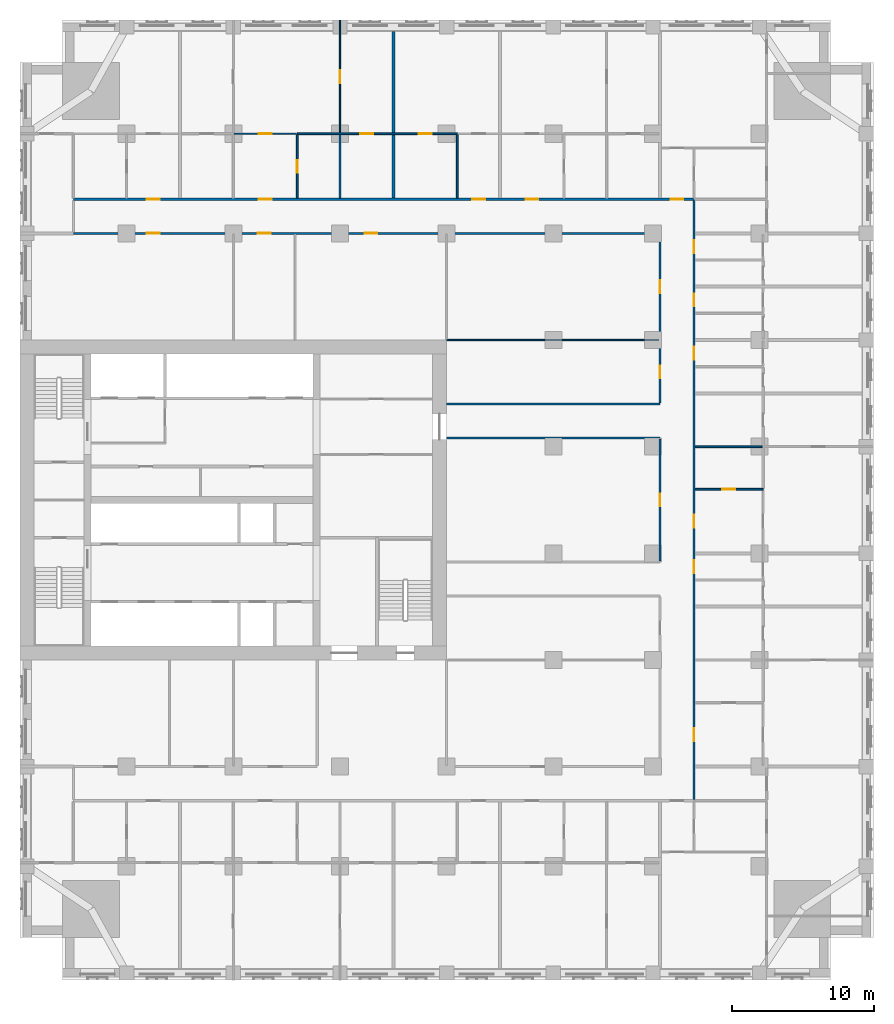
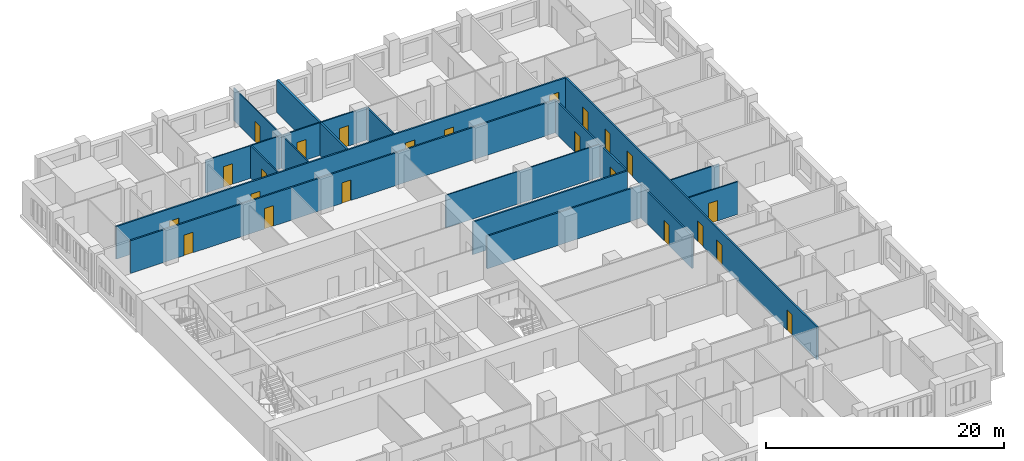
# One storey, part 9 of 14: 23 doors, 17 walls, 23 openings.
"""IFC4 building model written with IfcOpenShell, lengths in metres."""

import ifcopenshell
import ifcopenshell.guid

model = None  # the IFC model being written
_history = None  # IfcOwnerHistory: only IFC2X3 demands one
_inside = {}  # id of a spatial element -> (the spatial element, [elements in it])
_under = {}  # id of a project, library or spatial element -> (it, [spatial elements below it])
_declared = {}  # id of a project -> (the project, [libraries it declares])
_typed = {}  # id of a type object -> (the type object, [elements of that type])
_made_of = {}  # id of a material, layer set ... -> (it, [elements and type objects made of it])


def new_model(schema):
    """Start an empty IFC model of exactly this schema.

    Asked for "IFC4X3", IfcOpenShell would pick the latest addendum, in which some entities
    have other attributes; the version numbers below select the first issue.
    IFC2X3 requires an IfcOwnerHistory on every rooted entity: one is made here for all.
    """
    global model, _history
    if schema == "IFC4X3":
        model = ifcopenshell.file(schema_version=(4, 3, 0, 0))
    else:
        model = ifcopenshell.file(schema=schema)
    _inside.clear()
    _under.clear()
    _declared.clear()
    _typed.clear()
    _made_of.clear()
    _history = None
    if model.schema == "IFC2X3":
        org = make("IfcOrganization", Name="unknown")
        user = make(
            "IfcPersonAndOrganization",
            ThePerson=make("IfcPerson", FamilyName="unknown"),
            TheOrganization=org,
        )
        app = make(
            "IfcApplication",
            ApplicationDeveloper=org,
            Version="unknown",
            ApplicationFullName="unknown",
            ApplicationIdentifier="unknown",
        )
        _history = make(
            "IfcOwnerHistory",
            OwningUser=user,
            OwningApplication=app,
            ChangeAction="ADDED",
            CreationDate=0,
        )
    return model


def make(cls, **values):
    """One entity of the class cls with the attributes given. An attribute that is None is left unset."""
    return model.create_entity(
        cls, **{name: value for name, value in values.items() if value is not None}
    )


def rooted(cls, **values):
    """An entity with a GlobalId (a new one), such as an element, a storey or a relation."""
    return make(cls, GlobalId=ifcopenshell.guid.new(), OwnerHistory=_history, **values)


def si_unit(unit_type, name, prefix=None):
    """IfcSIUnit, for example si_unit("LENGTHUNIT", "METRE", prefix="MILLI")."""
    return make("IfcSIUnit", UnitType=unit_type, Prefix=prefix, Name=name)


def assignment(units):
    """IfcUnitAssignment: the units of a project."""
    return None if units is None else make("IfcUnitAssignment", Units=units)


def point(xyz):
    """IfcCartesianPoint."""
    return None if xyz is None else make("IfcCartesianPoint", Coordinates=xyz)


def direction(xyz):
    """IfcDirection."""
    return None if xyz is None else make("IfcDirection", DirectionRatios=xyz)


def frame(location, z_axis=None, x_axis=None):
    """IfcAxis2Placement3D, a coordinate frame: its origin and axes. An axis left out is left unset."""
    return make(
        "IfcAxis2Placement3D",
        Location=point(location),
        Axis=direction(z_axis),
        RefDirection=direction(x_axis),
    )


def frame_2d(location, x_axis=None):
    """IfcAxis2Placement2D, a coordinate frame in the plane: its origin and x axis."""
    return make(
        "IfcAxis2Placement2D", Location=point(location), RefDirection=direction(x_axis)
    )


def origin():
    """The frame at (0, 0, 0) with its axes left unset."""
    return frame((0.0, 0.0, 0.0))


def place(relative_to, where):
    """IfcLocalPlacement: puts the frame where relative to a parent placement (None: the world)."""
    return make(
        "IfcLocalPlacement", PlacementRelTo=relative_to, RelativePlacement=where
    )


def context(
    kind, dimensions, precision=None, world=None, true_north=None, identifier=None
):
    """IfcGeometricRepresentationContext, for example the 3D "Model" context."""
    return make(
        "IfcGeometricRepresentationContext",
        ContextIdentifier=identifier,
        ContextType=kind,
        CoordinateSpaceDimension=dimensions,
        Precision=precision,
        WorldCoordinateSystem=world,
        TrueNorth=true_north,
    )


def subcontext(parent, identifier, kind, view, scale=None):
    """IfcGeometricRepresentationSubContext, for example "Body" below "Model"."""
    return make(
        "IfcGeometricRepresentationSubContext",
        ContextIdentifier=identifier,
        ContextType=kind,
        ParentContext=parent,
        TargetScale=scale,
        TargetView=view,
    )


def project(units=None, contexts=None):
    """IfcProject with its units and contexts."""
    return rooted(
        "IfcProject",
        Name="project",
        RepresentationContexts=contexts,
        UnitsInContext=assignment(units),
    )


def spatial(cls, under=None, at=None, **own):
    """A site, building, storey or space (cls), placed at a placement, below another one or the project."""
    s = rooted(cls, ObjectPlacement=at, **own)
    if under is not None:
        _under.setdefault(under.id(), (under, []))[1].append(s)
    return s


def profile(cls, at=None, kind="AREA", **sizes):
    """A parametric profile (cls). Its sizes go by their IFC names, for example OverallWidth=200.0."""
    return make(cls, ProfileType=kind, Position=at, **sizes)


def rectangle(**sizes):
    """IfcRectangleProfileDef."""
    return profile("IfcRectangleProfileDef", **sizes)


def extrude(swept, where, along, depth):
    """IfcExtrudedAreaSolid: the profile swept, set in the frame where, extruded along a direction by depth."""
    return make(
        "IfcExtrudedAreaSolid",
        SweptArea=swept,
        Position=where,
        ExtrudedDirection=direction(along),
        Depth=depth,
    )


def shape(context_of_items, identifier, shape_type, items):
    """IfcShapeRepresentation: the items that make up one representation, for example the "Body"."""
    return make(
        "IfcShapeRepresentation",
        ContextOfItems=context_of_items,
        RepresentationIdentifier=identifier,
        RepresentationType=shape_type,
        Items=items,
    )


def material(Name=None, Category=None):
    """IfcMaterial."""
    return make("IfcMaterial", Name=Name, Category=Category)


def layer(
    of_material, thickness, ventilated=None, Name=None, Category=None, Priority=None
):
    """IfcMaterialLayer: one layer of a wall or slab, of a material (None: an air gap)."""
    return make(
        "IfcMaterialLayer",
        Material=of_material,
        LayerThickness=thickness,
        IsVentilated=ventilated,
        Name=Name,
        Category=Category,
        Priority=Priority,
    )


def layer_set(layers, Name=None):
    """IfcMaterialLayerSet."""
    return make("IfcMaterialLayerSet", MaterialLayers=layers, LayerSetName=Name)


def made_of(thing, what):
    """Note that an element or type object is made of a material, layer set ...; save() writes the relation."""
    if what is not None:
        _made_of.setdefault(what.id(), (what, []))[1].append(thing)
    return thing


def type_object(cls, material=None, **own):
    """A type object (cls), such as IfcWallType, which elements share."""
    return made_of(rooted(cls, **own), material)


def element(
    cls,
    number,
    at=None,
    inside=None,
    cuts=None,
    type_object=None,
    material=None,
    context=None,
    identifier="Body",
    shape_type=None,
    held_by="IfcProductDefinitionShape",
    body=None,
    shapes=None,
    **own,
):
    """One element of the class cls, such as IfcWall. Its Tag is "e" and its number.

    at: its placement. inside: the storey or other place that contains it. cuts: it is an
    opening in that element (IfcRelVoidsElement). A single representation is given by context,
    identifier, shape_type and body (its items); several are given by shapes. held_by: the class
    of the entity that holds the representations. save() writes the other relations.
    """
    e = rooted(cls, Tag="e%d" % number, ObjectPlacement=at, **own)
    if body is not None:
        shapes = [shape(context, identifier, shape_type, body)]
    if shapes is not None:
        e.Representation = make(held_by, Representations=shapes)
    if inside is not None:
        _inside.setdefault(inside.id(), (inside, []))[1].append(e)
    if cuts is not None:
        rooted(
            "IfcRelVoidsElement", RelatingBuildingElement=cuts, RelatedOpeningElement=e
        )
    if type_object is not None:
        _typed.setdefault(type_object.id(), (type_object, []))[1].append(e)
    return made_of(e, material)


def fill(opening, filler):
    """IfcRelFillsElement: the door or window that sits in an opening."""
    return rooted(
        "IfcRelFillsElement",
        RelatingOpeningElement=opening,
        RelatedBuildingElement=filler,
    )


def aggregate(whole, parts):
    """IfcRelAggregates: a whole, such as a stair, and the parts it consists of."""
    return rooted("IfcRelAggregates", RelatingObject=whole, RelatedObjects=parts)


def save(model, path):
    """Write the relations noted so far, then the file.

    IfcRelAggregates (storeys below a building ...), IfcRelContainedInSpatialStructure (elements
    in a storey), IfcRelDefinesByType, IfcRelAssociatesMaterial and IfcRelDeclares: one each for
    every whole, place, type object, material and project.
    """
    for whole, parts in _under.values():
        aggregate(whole, parts)
    for where, things in _inside.values():
        rooted(
            "IfcRelContainedInSpatialStructure",
            RelatedElements=things,
            RelatingStructure=where,
        )
    for kind, things in _typed.values():
        rooted("IfcRelDefinesByType", RelatedObjects=things, RelatingType=kind)
    for what, things in _made_of.values():
        rooted("IfcRelAssociatesMaterial", RelatedObjects=things, RelatingMaterial=what)
    for by, libraries in _declared.values():
        rooted("IfcRelDeclares", RelatingContext=by, RelatedDefinitions=libraries)
    model.write(path)


model = new_model("IFC4")

# Units and contexts
model_context = context("Model", 3, precision=1e-05, world=origin(), true_north=direction((0.0, 1.0)))
body_context = subcontext(model_context, "Body", "Model", "MODEL_VIEW")
ifc_project = project(units=[si_unit("LENGTHUNIT", "METRE"), si_unit("AREAUNIT", "SQUARE_METRE"), si_unit("VOLUMEUNIT", "CUBIC_METRE"), si_unit("PLANEANGLEUNIT", "RADIAN"), si_unit("MASSUNIT", "GRAM", prefix="KILO")], contexts=[model_context])

# Site, building, storey
site_placement = place(None, origin())
site = spatial("IfcSite", under=ifc_project, at=site_placement, CompositionType="ELEMENT")
building_placement = place(site_placement, origin())
building = spatial("IfcBuilding", under=site, at=building_placement, Name="Tamorin Gate", CompositionType="ELEMENT")
storey_placement = place(building_placement, frame((0.0, 0.0, 55.60009765625)))
storey = spatial("IfcBuildingStorey", under=building, at=storey_placement, Name="L12", CompositionType="ELEMENT", Elevation=55.60009765625)

# Wall, openings, doors
ifc_material_1 = material(Name="Gypsum board partition")
ifc_layer_1 = layer(ifc_material_1, 0.14990234375)
ifc_layer_set_1 = layer_set([ifc_layer_1], Name="Corridor wall 150")
wall_type_1 = type_object("IfcWallType", Name="Corridor wall 150", PredefinedType="PARTITIONING", material=ifc_layer_set_1)
wall_1_placement = place(storey_placement, frame((33.75, 90.0, 0.0), z_axis=(0.0, 0.0, 1.0), x_axis=(1.0, 0.0, 0.0)))
wall_1 = element("IfcWall", 1, at=wall_1_placement, inside=storey, type_object=wall_type_1, Name="Corridor wall 150", PredefinedType="PARTITIONING", context=body_context, shape_type="SweptSolid", body=[
    extrude(rectangle(XDim=41.25, YDim=0.14990234375, at=frame_2d((20.625, 0.0))), origin(), (0.0, 0.0, 1.0), 3.349853515625),
])
opening_1_placement = place(wall_1_placement, frame((5.175048828125, 0.0, 0.0)))
opening_1 = element("IfcOpeningElement", 2, at=opening_1_placement, cuts=wall_1, Name="Opening DH3077", PredefinedType="OPENING", context=body_context, shape_type="SweptSolid", body=[
    extrude(rectangle(XDim=0.89990234375, YDim=2.10009765625, at=frame_2d((0.449951171875, 1.050048828125))), frame((0.0, 0.0849609375, 0.0), z_axis=(0.0, -1.0, 0.0), x_axis=(1.0, 0.0, 0.0)), (0.0, 0.0, 1.0), 0.169921875),
])
opening_2_placement = place(wall_1_placement, frame((12.97509765625, 0.0, 0.0)))
opening_2 = element("IfcOpeningElement", 3, at=opening_2_placement, cuts=wall_1, Name="Opening DH3078", PredefinedType="OPENING", context=body_context, shape_type="SweptSolid", body=[
    extrude(rectangle(XDim=0.89990234375, YDim=2.10009765625, at=frame_2d((0.449951171875, 1.050048828125))), frame((0.0, 0.0849609375, 0.0), z_axis=(0.0, -1.0, 0.0), x_axis=(1.0, 0.0, 0.0)), (0.0, 0.0, 1.0), 0.169921875),
])
opening_3_placement = place(wall_1_placement, frame((20.47509765625, 0.0, 0.0)))
opening_3 = element("IfcOpeningElement", 4, at=opening_3_placement, cuts=wall_1, Name="Opening DH3079", PredefinedType="OPENING", context=body_context, shape_type="SweptSolid", body=[
    extrude(rectangle(XDim=0.89990234375, YDim=2.10009765625, at=frame_2d((0.449951171875, 1.050048828125))), frame((0.0, 0.0849609375, 0.0), z_axis=(0.0, -1.0, 0.0), x_axis=(1.0, 0.0, 0.0)), (0.0, 0.0, 1.0), 0.169921875),
])
ifc_material_2 = material(Name="Timber door leaf", Category="wood")
door_type_1 = type_object("IfcDoorType", Name="Door 900 x 2100 FD30S", OperationType="NOTDEFINED", PredefinedType="DOOR", material=ifc_material_2)
door_1_placement = place(opening_1_placement, origin())
door_1 = element("IfcDoor", 5, at=door_1_placement, inside=storey, type_object=door_type_1, Name="Door DH3077", OperationType="SINGLE_SWING_RIGHT", OverallHeight=2.10009765625, OverallWidth=0.89990234375, PredefinedType="DOOR", context=body_context, shape_type="SweptSolid", body=[
    extrude(rectangle(XDim=0.89990234375, YDim=2.10009765625, at=frame_2d((0.449951171875, 1.050048828125))), frame((0.0, 0.02490234375, 0.0), z_axis=(0.0, -1.0, 0.0), x_axis=(1.0, 0.0, 0.0)), (0.0, 0.0, 1.0), 0.050048828125),
])
fill(opening_1, door_1)
door_2_placement = place(opening_2_placement, origin())
door_2 = element("IfcDoor", 6, at=door_2_placement, inside=storey, type_object=door_type_1, Name="Door DH3078", OperationType="SINGLE_SWING_RIGHT", OverallHeight=2.10009765625, OverallWidth=0.89990234375, PredefinedType="DOOR", context=body_context, shape_type="SweptSolid", body=[
    extrude(rectangle(XDim=0.89990234375, YDim=2.10009765625, at=frame_2d((0.449951171875, 1.050048828125))), frame((0.0, 0.02490234375, 0.0), z_axis=(0.0, -1.0, 0.0), x_axis=(1.0, 0.0, 0.0)), (0.0, 0.0, 1.0), 0.050048828125),
])
fill(opening_2, door_2)
door_3_placement = place(opening_3_placement, origin())
door_3 = element("IfcDoor", 7, at=door_3_placement, inside=storey, type_object=door_type_1, Name="Door DH3079", OperationType="SINGLE_SWING_RIGHT", OverallHeight=2.10009765625, OverallWidth=0.89990234375, PredefinedType="DOOR", context=body_context, shape_type="SweptSolid", body=[
    extrude(rectangle(XDim=0.89990234375, YDim=2.10009765625, at=frame_2d((0.449951171875, 1.050048828125))), frame((0.0, 0.02490234375, 0.0), z_axis=(0.0, -1.0, 0.0), x_axis=(1.0, 0.0, 0.0)), (0.0, 0.0, 1.0), 0.050048828125),
])
fill(opening_3, door_3)

wall_2_placement = place(storey_placement, frame((33.75, 92.39990234375, 0.0), z_axis=(0.0, 0.0, 1.0), x_axis=(1.0, 0.0, 0.0)))
wall_2 = element("IfcWall", 8, at=wall_2_placement, inside=storey, type_object=wall_type_1, Name="Corridor wall 150", PredefinedType="PARTITIONING", context=body_context, shape_type="SweptSolid", body=[
    extrude(rectangle(XDim=43.64990234375, YDim=0.14990234375, at=frame_2d((21.824951171875, 0.0))), origin(), (0.0, 0.0, 1.0), 3.349853515625),
])
opening_4_placement = place(wall_2_placement, frame((5.175048828125, 0.0, 0.0)))
opening_4 = element("IfcOpeningElement", 9, at=opening_4_placement, cuts=wall_2, Name="Opening DH3022", PredefinedType="OPENING", context=body_context, shape_type="SweptSolid", body=[
    extrude(rectangle(XDim=0.89990234375, YDim=2.10009765625, at=frame_2d((0.449951171875, 1.050048828125))), frame((0.0, 0.0849609375, 0.0), z_axis=(0.0, -1.0, 0.0), x_axis=(1.0, 0.0, 0.0)), (0.0, 0.0, 1.0), 0.169921875),
])
opening_5_placement = place(wall_2_placement, frame((13.050048828125, 0.0, 0.0)))
opening_5 = element("IfcOpeningElement", 10, at=opening_5_placement, cuts=wall_2, Name="Opening DH3025", PredefinedType="OPENING", context=body_context, shape_type="SweptSolid", body=[
    extrude(rectangle(XDim=0.89990234375, YDim=2.10009765625, at=frame_2d((0.449951171875, 1.050048828125))), frame((0.0, 0.0849609375, 0.0), z_axis=(0.0, -1.0, 0.0), x_axis=(1.0, 0.0, 0.0)), (0.0, 0.0, 1.0), 0.169921875),
])
opening_6_placement = place(wall_2_placement, frame((28.050048828125, 0.0, 0.0)))
opening_6 = element("IfcOpeningElement", 11, at=opening_6_placement, cuts=wall_2, Name="Opening DH3032", PredefinedType="OPENING", context=body_context, shape_type="SweptSolid", body=[
    extrude(rectangle(XDim=0.89990234375, YDim=2.10009765625, at=frame_2d((0.449951171875, 1.050048828125))), frame((0.0, 0.0849609375, 0.0), z_axis=(0.0, -1.0, 0.0), x_axis=(1.0, 0.0, 0.0)), (0.0, 0.0, 1.0), 0.169921875),
])
opening_7_placement = place(wall_2_placement, frame((31.800048828125, 0.0, 0.0)))
opening_7 = element("IfcOpeningElement", 12, at=opening_7_placement, cuts=wall_2, Name="Opening DH3034", PredefinedType="OPENING", context=body_context, shape_type="SweptSolid", body=[
    extrude(rectangle(XDim=0.89990234375, YDim=2.10009765625, at=frame_2d((0.449951171875, 1.050048828125))), frame((0.0, 0.0849609375, 0.0), z_axis=(0.0, -1.0, 0.0), x_axis=(1.0, 0.0, 0.0)), (0.0, 0.0, 1.0), 0.169921875),
])
opening_8_placement = place(wall_2_placement, frame((42.0, 0.0, 0.0)))
opening_8 = element("IfcOpeningElement", 13, at=opening_8_placement, cuts=wall_2, Name="Opening DH3067", PredefinedType="OPENING", context=body_context, shape_type="SweptSolid", body=[
    extrude(rectangle(XDim=0.89990234375, YDim=2.10009765625, at=frame_2d((0.449951171875, 1.050048828125))), frame((0.0, 0.0849609375, 0.0), z_axis=(0.0, -1.0, 0.0), x_axis=(1.0, 0.0, 0.0)), (0.0, 0.0, 1.0), 0.169921875),
])
door_4_placement = place(opening_4_placement, origin())
door_4 = element("IfcDoor", 14, at=door_4_placement, inside=storey, type_object=door_type_1, Name="Door DH3022", OperationType="SINGLE_SWING_LEFT", OverallHeight=2.10009765625, OverallWidth=0.89990234375, PredefinedType="DOOR", context=body_context, shape_type="SweptSolid", body=[
    extrude(rectangle(XDim=0.89990234375, YDim=2.10009765625, at=frame_2d((0.449951171875, 1.050048828125))), frame((0.0, 0.02490234375, 0.0), z_axis=(0.0, -1.0, 0.0), x_axis=(1.0, 0.0, 0.0)), (0.0, 0.0, 1.0), 0.050048828125),
])
fill(opening_4, door_4)
door_5_placement = place(opening_5_placement, origin())
door_5 = element("IfcDoor", 15, at=door_5_placement, inside=storey, type_object=door_type_1, Name="Door DH3025", OperationType="SINGLE_SWING_LEFT", OverallHeight=2.10009765625, OverallWidth=0.89990234375, PredefinedType="DOOR", context=body_context, shape_type="SweptSolid", body=[
    extrude(rectangle(XDim=0.89990234375, YDim=2.10009765625, at=frame_2d((0.449951171875, 1.050048828125))), frame((0.0, 0.02490234375, 0.0), z_axis=(0.0, -1.0, 0.0), x_axis=(1.0, 0.0, 0.0)), (0.0, 0.0, 1.0), 0.050048828125),
])
fill(opening_5, door_5)
door_6_placement = place(opening_6_placement, origin())
door_6 = element("IfcDoor", 16, at=door_6_placement, inside=storey, type_object=door_type_1, Name="Door DH3032", OperationType="SINGLE_SWING_LEFT", OverallHeight=2.10009765625, OverallWidth=0.89990234375, PredefinedType="DOOR", context=body_context, shape_type="SweptSolid", body=[
    extrude(rectangle(XDim=0.89990234375, YDim=2.10009765625, at=frame_2d((0.449951171875, 1.050048828125))), frame((0.0, 0.02490234375, 0.0), z_axis=(0.0, -1.0, 0.0), x_axis=(1.0, 0.0, 0.0)), (0.0, 0.0, 1.0), 0.050048828125),
])
fill(opening_6, door_6)
door_7_placement = place(opening_7_placement, origin())
door_7 = element("IfcDoor", 17, at=door_7_placement, inside=storey, type_object=door_type_1, Name="Door DH3034", OperationType="SINGLE_SWING_LEFT", OverallHeight=2.10009765625, OverallWidth=0.89990234375, PredefinedType="DOOR", context=body_context, shape_type="SweptSolid", body=[
    extrude(rectangle(XDim=0.89990234375, YDim=2.10009765625, at=frame_2d((0.449951171875, 1.050048828125))), frame((0.0, 0.02490234375, 0.0), z_axis=(0.0, -1.0, 0.0), x_axis=(1.0, 0.0, 0.0)), (0.0, 0.0, 1.0), 0.050048828125),
])
fill(opening_7, door_7)
door_8_placement = place(opening_8_placement, origin())
door_8 = element("IfcDoor", 18, at=door_8_placement, inside=storey, type_object=door_type_1, Name="Door DH3067", OperationType="SINGLE_SWING_RIGHT", OverallHeight=2.10009765625, OverallWidth=0.89990234375, PredefinedType="DOOR", context=body_context, shape_type="SweptSolid", body=[
    extrude(rectangle(XDim=0.89990234375, YDim=2.10009765625, at=frame_2d((0.449951171875, 1.050048828125))), frame((0.0, 0.02490234375, 0.0), z_axis=(0.0, -1.0, 0.0), x_axis=(1.0, 0.0, 0.0)), (0.0, 0.0, 1.0), 0.050048828125),
])
fill(opening_8, door_8)

# Wall, opening, door
wall_3_placement = place(storey_placement, frame((75.0, 66.97509765625, 0.0), z_axis=(0.0, 0.0, 1.0), x_axis=(0.0, 1.0, 0.0)))
wall_3 = element("IfcWall", 19, at=wall_3_placement, inside=storey, type_object=wall_type_1, Name="Corridor wall 150", PredefinedType="PARTITIONING", context=body_context, shape_type="SweptSolid", body=[
    extrude(rectangle(XDim=8.5498046875, YDim=0.14990234375, at=frame_2d((4.27490234375, 0.0))), origin(), (0.0, 0.0, 1.0), 3.349853515625),
])
opening_9_placement = place(wall_3_placement, frame((3.824951171875, 0.0, 0.0)))
opening_9 = element("IfcOpeningElement", 20, at=opening_9_placement, cuts=wall_3, Name="Opening DH3082", PredefinedType="OPENING", context=body_context, shape_type="SweptSolid", body=[
    extrude(rectangle(XDim=0.89990234375, YDim=2.10009765625, at=frame_2d((0.449951171875, 1.050048828125))), frame((0.0, 0.0849609375, 0.0), z_axis=(0.0, -1.0, 0.0), x_axis=(1.0, 0.0, 0.0)), (0.0, 0.0, 1.0), 0.169921875),
])
door_9_placement = place(opening_9_placement, origin())
door_9 = element("IfcDoor", 21, at=door_9_placement, inside=storey, type_object=door_type_1, Name="Door DH3082", OperationType="SINGLE_SWING_LEFT", OverallHeight=2.10009765625, OverallWidth=0.89990234375, PredefinedType="DOOR", context=body_context, shape_type="SweptSolid", body=[
    extrude(rectangle(XDim=0.89990234375, YDim=2.10009765625, at=frame_2d((0.449951171875, 1.050048828125))), frame((0.0, 0.02490234375, 0.0), z_axis=(0.0, -1.0, 0.0), x_axis=(1.0, 0.0, 0.0)), (0.0, 0.0, 1.0), 0.050048828125),
])
fill(opening_9, door_9)

# Wall, openings, doors
wall_4_placement = place(storey_placement, frame((75.0, 78.074951171875, 0.0), z_axis=(0.0, 0.0, 1.0), x_axis=(0.0, 1.0, 0.0)))
wall_4 = element("IfcWall", 22, at=wall_4_placement, inside=storey, type_object=wall_type_1, Name="Corridor wall 150", PredefinedType="PARTITIONING", context=body_context, shape_type="SweptSolid", body=[
    extrude(rectangle(XDim=11.85009765625, YDim=0.14990234375, at=frame_2d((5.925048828125, 0.0))), origin(), (0.0, 0.0, 1.0), 3.349853515625),
])
opening_10_placement = place(wall_4_placement, frame((7.72509765625, 0.0, 0.0)))
opening_10 = element("IfcOpeningElement", 23, at=opening_10_placement, cuts=wall_4, Name="Opening DH3080", PredefinedType="OPENING", context=body_context, shape_type="SweptSolid", body=[
    extrude(rectangle(XDim=0.89990234375, YDim=2.10009765625, at=frame_2d((0.449951171875, 1.050048828125))), frame((0.0, 0.0849609375, 0.0), z_axis=(0.0, -1.0, 0.0), x_axis=(1.0, 0.0, 0.0)), (0.0, 0.0, 1.0), 0.169921875),
])
opening_11_placement = place(wall_4_placement, frame((1.72509765625, 0.0, 0.0)))
opening_11 = element("IfcOpeningElement", 24, at=opening_11_placement, cuts=wall_4, Name="Opening DH3083", PredefinedType="OPENING", context=body_context, shape_type="SweptSolid", body=[
    extrude(rectangle(XDim=0.89990234375, YDim=2.10009765625, at=frame_2d((0.449951171875, 1.050048828125))), frame((0.0, 0.0849609375, 0.0), z_axis=(0.0, -1.0, 0.0), x_axis=(1.0, 0.0, 0.0)), (0.0, 0.0, 1.0), 0.169921875),
])
door_10_placement = place(opening_10_placement, origin())
door_10 = element("IfcDoor", 25, at=door_10_placement, inside=storey, type_object=door_type_1, Name="Door DH3080", OperationType="SINGLE_SWING_LEFT", OverallHeight=2.10009765625, OverallWidth=0.89990234375, PredefinedType="DOOR", context=body_context, shape_type="SweptSolid", body=[
    extrude(rectangle(XDim=0.89990234375, YDim=2.10009765625, at=frame_2d((0.449951171875, 1.050048828125))), frame((0.0, 0.02490234375, 0.0), z_axis=(0.0, -1.0, 0.0), x_axis=(1.0, 0.0, 0.0)), (0.0, 0.0, 1.0), 0.050048828125),
])
fill(opening_10, door_10)
door_11_placement = place(opening_11_placement, origin())
door_11 = element("IfcDoor", 26, at=door_11_placement, inside=storey, type_object=door_type_1, Name="Door DH3083", OperationType="SINGLE_SWING_LEFT", OverallHeight=2.10009765625, OverallWidth=0.89990234375, PredefinedType="DOOR", context=body_context, shape_type="SweptSolid", body=[
    extrude(rectangle(XDim=0.89990234375, YDim=2.10009765625, at=frame_2d((0.449951171875, 1.050048828125))), frame((0.0, 0.02490234375, 0.0), z_axis=(0.0, -1.0, 0.0), x_axis=(1.0, 0.0, 0.0)), (0.0, 0.0, 1.0), 0.050048828125),
])
fill(opening_11, door_11)

wall_5_placement = place(storey_placement, frame((77.39990234375, 50.175048828125, 0.0), z_axis=(0.0, 0.0, 1.0), x_axis=(0.0, 1.0, 0.0)))
wall_5 = element("IfcWall", 27, at=wall_5_placement, inside=storey, type_object=wall_type_1, Name="Corridor wall 150", PredefinedType="PARTITIONING", context=body_context, shape_type="SweptSolid", body=[
    extrude(rectangle(XDim=42.14990234375, YDim=0.14990234375, at=frame_2d((21.074951171875, 0.0))), origin(), (0.0, 0.0, 1.0), 3.349853515625),
])
opening_12_placement = place(wall_5_placement, frame((4.125, 0.0, 0.0)))
opening_12 = element("IfcOpeningElement", 28, at=opening_12_placement, cuts=wall_5, Name="Opening DH3039", PredefinedType="OPENING", context=body_context, shape_type="SweptSolid", body=[
    extrude(rectangle(XDim=0.89990234375, YDim=2.10009765625, at=frame_2d((0.449951171875, 1.050048828125))), frame((0.0, 0.0849609375, 0.0), z_axis=(0.0, -1.0, 0.0), x_axis=(1.0, 0.0, 0.0)), (0.0, 0.0, 1.0), 0.169921875),
])
opening_13_placement = place(wall_5_placement, frame((15.9375, 0.0, 0.0)))
opening_13 = element("IfcOpeningElement", 29, at=opening_13_placement, cuts=wall_5, Name="Opening DH3045", PredefinedType="OPENING", context=body_context, shape_type="SweptSolid", body=[
    extrude(rectangle(XDim=0.89990234375, YDim=2.10009765625, at=frame_2d((0.449951171875, 1.050048828125))), frame((0.0, 0.0849609375, 0.0), z_axis=(0.0, -1.0, 0.0), x_axis=(1.0, 0.0, 0.0)), (0.0, 0.0, 1.0), 0.169921875),
])
opening_14_placement = place(wall_5_placement, frame((19.125, 0.0, 0.0)))
opening_14 = element("IfcOpeningElement", 30, at=opening_14_placement, cuts=wall_5, Name="Opening DH3047", PredefinedType="OPENING", context=body_context, shape_type="SweptSolid", body=[
    extrude(rectangle(XDim=0.89990234375, YDim=2.10009765625, at=frame_2d((0.449951171875, 1.050048828125))), frame((0.0, 0.0849609375, 0.0), z_axis=(0.0, -1.0, 0.0), x_axis=(1.0, 0.0, 0.0)), (0.0, 0.0, 1.0), 0.169921875),
])
opening_15_placement = place(wall_5_placement, frame((30.9375, 0.0, 0.0)))
opening_15 = element("IfcOpeningElement", 31, at=opening_15_placement, cuts=wall_5, Name="Opening DH3053", PredefinedType="OPENING", context=body_context, shape_type="SweptSolid", body=[
    extrude(rectangle(XDim=0.89990234375, YDim=2.10009765625, at=frame_2d((0.449951171875, 1.050048828125))), frame((0.0, 0.0849609375, 0.0), z_axis=(0.0, -1.0, 0.0), x_axis=(1.0, 0.0, 0.0)), (0.0, 0.0, 1.0), 0.169921875),
])
opening_16_placement = place(wall_5_placement, frame((34.6875, 0.0, 0.0)))
opening_16 = element("IfcOpeningElement", 32, at=opening_16_placement, cuts=wall_5, Name="Opening DH3056", PredefinedType="OPENING", context=body_context, shape_type="SweptSolid", body=[
    extrude(rectangle(XDim=0.89990234375, YDim=2.10009765625, at=frame_2d((0.449951171875, 1.050048828125))), frame((0.0, 0.0849609375, 0.0), z_axis=(0.0, -1.0, 0.0), x_axis=(1.0, 0.0, 0.0)), (0.0, 0.0, 1.0), 0.169921875),
])
opening_17_placement = place(wall_5_placement, frame((38.4375, 0.0, 0.0)))
opening_17 = element("IfcOpeningElement", 33, at=opening_17_placement, cuts=wall_5, Name="Opening DH3059", PredefinedType="OPENING", context=body_context, shape_type="SweptSolid", body=[
    extrude(rectangle(XDim=0.89990234375, YDim=2.10009765625, at=frame_2d((0.449951171875, 1.050048828125))), frame((0.0, 0.0849609375, 0.0), z_axis=(0.0, -1.0, 0.0), x_axis=(1.0, 0.0, 0.0)), (0.0, 0.0, 1.0), 0.169921875),
])
door_12_placement = place(opening_12_placement, origin())
door_12 = element("IfcDoor", 34, at=door_12_placement, inside=storey, type_object=door_type_1, Name="Door DH3039", OperationType="SINGLE_SWING_RIGHT", OverallHeight=2.10009765625, OverallWidth=0.89990234375, PredefinedType="DOOR", context=body_context, shape_type="SweptSolid", body=[
    extrude(rectangle(XDim=0.89990234375, YDim=2.10009765625, at=frame_2d((0.449951171875, 1.050048828125))), frame((0.0, 0.02490234375, 0.0), z_axis=(0.0, -1.0, 0.0), x_axis=(1.0, 0.0, 0.0)), (0.0, 0.0, 1.0), 0.050048828125),
])
fill(opening_12, door_12)
door_13_placement = place(opening_13_placement, origin())
door_13 = element("IfcDoor", 35, at=door_13_placement, inside=storey, type_object=door_type_1, Name="Door DH3045", OperationType="SINGLE_SWING_RIGHT", OverallHeight=2.10009765625, OverallWidth=0.89990234375, PredefinedType="DOOR", context=body_context, shape_type="SweptSolid", body=[
    extrude(rectangle(XDim=0.89990234375, YDim=2.10009765625, at=frame_2d((0.449951171875, 1.050048828125))), frame((0.0, 0.02490234375, 0.0), z_axis=(0.0, -1.0, 0.0), x_axis=(1.0, 0.0, 0.0)), (0.0, 0.0, 1.0), 0.050048828125),
])
fill(opening_13, door_13)
door_14_placement = place(opening_14_placement, origin())
door_14 = element("IfcDoor", 36, at=door_14_placement, inside=storey, type_object=door_type_1, Name="Door DH3047", OperationType="SINGLE_SWING_RIGHT", OverallHeight=2.10009765625, OverallWidth=0.89990234375, PredefinedType="DOOR", context=body_context, shape_type="SweptSolid", body=[
    extrude(rectangle(XDim=0.89990234375, YDim=2.10009765625, at=frame_2d((0.449951171875, 1.050048828125))), frame((0.0, 0.02490234375, 0.0), z_axis=(0.0, -1.0, 0.0), x_axis=(1.0, 0.0, 0.0)), (0.0, 0.0, 1.0), 0.050048828125),
])
fill(opening_14, door_14)
door_15_placement = place(opening_15_placement, origin())
door_15 = element("IfcDoor", 37, at=door_15_placement, inside=storey, type_object=door_type_1, Name="Door DH3053", OperationType="SINGLE_SWING_RIGHT", OverallHeight=2.10009765625, OverallWidth=0.89990234375, PredefinedType="DOOR", context=body_context, shape_type="SweptSolid", body=[
    extrude(rectangle(XDim=0.89990234375, YDim=2.10009765625, at=frame_2d((0.449951171875, 1.050048828125))), frame((0.0, 0.02490234375, 0.0), z_axis=(0.0, -1.0, 0.0), x_axis=(1.0, 0.0, 0.0)), (0.0, 0.0, 1.0), 0.050048828125),
])
fill(opening_15, door_15)
door_16_placement = place(opening_16_placement, origin())
door_16 = element("IfcDoor", 38, at=door_16_placement, inside=storey, type_object=door_type_1, Name="Door DH3056", OperationType="SINGLE_SWING_RIGHT", OverallHeight=2.10009765625, OverallWidth=0.89990234375, PredefinedType="DOOR", context=body_context, shape_type="SweptSolid", body=[
    extrude(rectangle(XDim=0.89990234375, YDim=2.10009765625, at=frame_2d((0.449951171875, 1.050048828125))), frame((0.0, 0.02490234375, 0.0), z_axis=(0.0, -1.0, 0.0), x_axis=(1.0, 0.0, 0.0)), (0.0, 0.0, 1.0), 0.050048828125),
])
fill(opening_16, door_16)
door_17_placement = place(opening_17_placement, origin())
door_17 = element("IfcDoor", 39, at=door_17_placement, inside=storey, type_object=door_type_1, Name="Door DH3059", OperationType="SINGLE_SWING_RIGHT", OverallHeight=2.10009765625, OverallWidth=0.89990234375, PredefinedType="DOOR", context=body_context, shape_type="SweptSolid", body=[
    extrude(rectangle(XDim=0.89990234375, YDim=2.10009765625, at=frame_2d((0.449951171875, 1.050048828125))), frame((0.0, 0.02490234375, 0.0), z_axis=(0.0, -1.0, 0.0), x_axis=(1.0, 0.0, 0.0)), (0.0, 0.0, 1.0), 0.050048828125),
])
fill(opening_17, door_17)

# Walls
ifc_layer_2 = layer(ifc_material_1, 0.199951171875)
ifc_layer_set_2 = layer_set([ifc_layer_2], Name="Demising wall 200")
wall_type_2 = type_object("IfcWallType", Name="Demising wall 200", PredefinedType="PARTITIONING", material=ifc_layer_set_2)
wall_6_placement = place(storey_placement, frame((56.25, 92.47509765625, 0.0), z_axis=(0.0, 0.0, 1.0), x_axis=(0.0, 1.0, 0.0)))
element("IfcWall", 40, at=wall_6_placement, inside=storey, type_object=wall_type_2, Name="Demising wall 200", PredefinedType="PARTITIONING", context=body_context, shape_type="SweptSolid", body=[
    extrude(rectangle(XDim=11.71484375, YDim=0.199951171875, at=frame_2d((5.857421875, 0.0))), origin(), (0.0, 0.0, 1.0), 3.349853515625),
])
ifc_layer_3 = layer(ifc_material_1, 0.14990234375)
ifc_layer_set_3 = layer_set([ifc_layer_3], Name="Lobby wall 150")
wall_type_3 = type_object("IfcWallType", Name="Lobby wall 150", PredefinedType="PARTITIONING", material=ifc_layer_set_3)
for number, where, z_axis, x_axis, name in (
    (41, (60.0, 75.60009765625, 0.0), (0.0, 0.0, 1.0), (1.0, 0.0, 0.0), "Lobby wall 150"),
    (42, (60.0, 78.0, 0.0), (0.0, 0.0, 1.0), (1.0, 0.0, 0.0), "Lobby wall 150"),
):
    element("IfcWall", number, at=place(storey_placement, frame(where, z_axis=z_axis, x_axis=x_axis)), inside=storey, type_object=wall_type_3, Name=name, PredefinedType="PARTITIONING", context=body_context, shape_type="SweptSolid", body=[
        extrude(rectangle(XDim=15.0, YDim=0.14990234375, at=frame_2d((7.5, 0.0))), origin(), (0.0, 0.0, 1.0), 3.349853515625),
    ])
ifc_layer_4 = layer(ifc_material_1, 0.10009765625)
ifc_layer_set_4 = layer_set([ifc_layer_4], Name="Room partition 100")
wall_type_4 = type_object("IfcWallType", Name="Room partition 100", PredefinedType="PARTITIONING", material=ifc_layer_set_4)
wall_7_placement = place(storey_placement, frame((60.0, 82.5, 0.0), z_axis=(0.0, 0.0, 1.0), x_axis=(1.0, 0.0, 0.0)))
element("IfcWall", 43, at=wall_7_placement, inside=storey, type_object=wall_type_4, Name="Room partition 100", PredefinedType="PARTITIONING", context=body_context, shape_type="SweptSolid", body=[
    extrude(rectangle(XDim=14.925048828125, YDim=0.10009765625, at=frame_2d((7.46240234375, 0.0))), origin(), (0.0, 0.0, 1.0), 3.349853515625),
])

# Wall, opening, door
wall_8_placement = place(storey_placement, frame((45.0625, 97.0, 0.0), z_axis=(0.0, 0.0, 1.0), x_axis=(1.0, 0.0, 0.0)))
wall_8 = element("IfcWall", 44, at=wall_8_placement, inside=storey, type_object=wall_type_4, Name="Room partition 100", PredefinedType="PARTITIONING", context=body_context, shape_type="SweptSolid", body=[
    extrude(rectangle(XDim=4.375, YDim=0.10009765625, at=frame_2d((2.1875, 0.0))), origin(), (0.0, 0.0, 1.0), 3.349853515625),
])
opening_18_placement = place(wall_8_placement, frame((1.737548828125, 0.0, 0.0)))
opening_18 = element("IfcOpeningElement", 45, at=opening_18_placement, cuts=wall_8, Name="Opening DH3026", PredefinedType="OPENING", context=body_context, shape_type="SweptSolid", body=[
    extrude(rectangle(XDim=0.89990234375, YDim=2.10009765625, at=frame_2d((0.449951171875, 1.050048828125))), frame((0.0, 0.06005859375, 0.0), z_axis=(0.0, -1.0, 0.0), x_axis=(1.0, 0.0, 0.0)), (0.0, 0.0, 1.0), 0.1201171875),
])
door_type_2 = type_object("IfcDoorType", Name="Door 900 x 2100", OperationType="NOTDEFINED", PredefinedType="DOOR", material=ifc_material_2)
door_18_placement = place(opening_18_placement, origin())
door_18 = element("IfcDoor", 46, at=door_18_placement, inside=storey, type_object=door_type_2, Name="Door DH3026", OperationType="SINGLE_SWING_RIGHT", OverallHeight=2.10009765625, OverallWidth=0.89990234375, PredefinedType="DOOR", context=body_context, shape_type="SweptSolid", body=[
    extrude(rectangle(XDim=0.89990234375, YDim=2.10009765625, at=frame_2d((0.449951171875, 1.050048828125))), frame((0.0, 0.02490234375, 0.0), z_axis=(0.0, -1.0, 0.0), x_axis=(1.0, 0.0, 0.0)), (0.0, 0.0, 1.0), 0.050048828125),
])
fill(opening_18, door_18)

wall_9_placement = place(storey_placement, frame((52.5, 97.0625, 0.0), z_axis=(0.0, 0.0, 1.0), x_axis=(0.0, 1.0, 0.0)))
wall_9 = element("IfcWall", 47, at=wall_9_placement, inside=storey, type_object=wall_type_4, Name="Room partition 100", PredefinedType="PARTITIONING", context=body_context, shape_type="SweptSolid", body=[
    extrude(rectangle(XDim=7.9375, YDim=0.10009765625, at=frame_2d((3.96875, 0.0))), origin(), (0.0, 0.0, 1.0), 3.349853515625),
])
opening_19_placement = place(wall_9_placement, frame((3.487548828125, 0.0, 0.0)))
opening_19 = element("IfcOpeningElement", 48, at=opening_19_placement, cuts=wall_9, Name="Opening DH3030", PredefinedType="OPENING", context=body_context, shape_type="SweptSolid", body=[
    extrude(rectangle(XDim=0.89990234375, YDim=2.10009765625, at=frame_2d((0.449951171875, 1.050048828125))), frame((0.0, 0.06005859375, 0.0), z_axis=(0.0, -1.0, 0.0), x_axis=(1.0, 0.0, 0.0)), (0.0, 0.0, 1.0), 0.1201171875),
])
door_19_placement = place(opening_19_placement, origin())
door_19 = element("IfcDoor", 49, at=door_19_placement, inside=storey, type_object=door_type_2, Name="Door DH3030", OperationType="SINGLE_SWING_LEFT", OverallHeight=2.10009765625, OverallWidth=0.89990234375, PredefinedType="DOOR", context=body_context, shape_type="SweptSolid", body=[
    extrude(rectangle(XDim=0.89990234375, YDim=2.10009765625, at=frame_2d((0.449951171875, 1.050048828125))), frame((0.0, 0.02490234375, 0.0), z_axis=(0.0, -1.0, 0.0), x_axis=(1.0, 0.0, 0.0)), (0.0, 0.0, 1.0), 0.050048828125),
])
fill(opening_19, door_19)

ifc_layer_5 = layer(ifc_material_1, 0.125)
ifc_layer_set_5 = layer_set([ifc_layer_5], Name="Wet wall 125")
wall_type_5 = type_object("IfcWallType", Name="Wet wall 125", PredefinedType="PARTITIONING", material=ifc_layer_set_5)
wall_10_placement = place(storey_placement, frame((77.47509765625, 72.0, 0.0), z_axis=(0.0, 0.0, 1.0), x_axis=(1.0, 0.0, 0.0)))
wall_10 = element("IfcWall", 50, at=wall_10_placement, inside=storey, type_object=wall_type_5, Name="Wet wall 125", PredefinedType="PARTITIONING", context=body_context, shape_type="SweptSolid", body=[
    extrude(rectangle(XDim=4.77490234375, YDim=0.125, at=frame_2d((2.387451171875, 0.0))), origin(), (0.0, 0.0, 1.0), 3.349853515625),
])
opening_20_placement = place(wall_10_placement, frame((1.89990234375, 0.0, 0.0)))
opening_20 = element("IfcOpeningElement", 51, at=opening_20_placement, cuts=wall_10, Name="Opening DH3049", PredefinedType="OPENING", context=body_context, shape_type="SweptSolid", body=[
    extrude(rectangle(XDim=0.89990234375, YDim=2.10009765625, at=frame_2d((0.449951171875, 1.050048828125))), frame((0.0, 0.072509765625, 0.0), z_axis=(0.0, -1.0, 0.0), x_axis=(1.0, 0.0, 0.0)), (0.0, 0.0, 1.0), 0.14501953125),
])
door_20_placement = place(opening_20_placement, origin())
door_20 = element("IfcDoor", 52, at=door_20_placement, inside=storey, type_object=door_type_2, Name="Door DH3049", OperationType="SINGLE_SWING_RIGHT", OverallHeight=2.10009765625, OverallWidth=0.89990234375, PredefinedType="DOOR", context=body_context, shape_type="SweptSolid", body=[
    extrude(rectangle(XDim=0.89990234375, YDim=2.10009765625, at=frame_2d((0.449951171875, 1.050048828125))), frame((0.0, 0.02490234375, 0.0), z_axis=(0.0, -1.0, 0.0), x_axis=(1.0, 0.0, 0.0)), (0.0, 0.0, 1.0), 0.050048828125),
])
fill(opening_20, door_20)

# Wall
wall_11_placement = place(storey_placement, frame((77.47509765625, 75.0, 0.0), z_axis=(0.0, 0.0, 1.0), x_axis=(1.0, 0.0, 0.0)))
element("IfcWall", 53, at=wall_11_placement, inside=storey, type_object=wall_type_5, Name="Wet wall 125", PredefinedType="PARTITIONING", context=body_context, shape_type="SweptSolid", body=[
    extrude(rectangle(XDim=4.71240234375, YDim=0.125, at=frame_2d((2.356201171875, 0.0))), origin(), (0.0, 0.0, 1.0), 3.349853515625),
])

# Wall, openings, doors
wall_12_placement = place(storey_placement, frame((49.5, 97.0, 0.0), z_axis=(0.0, 0.0, 1.0), x_axis=(1.0, 0.0, 0.0)))
wall_12 = element("IfcWall", 54, at=wall_12_placement, inside=storey, type_object=wall_type_5, Name="Wet wall 125", PredefinedType="PARTITIONING", context=body_context, shape_type="SweptSolid", body=[
    extrude(rectangle(XDim=11.25, YDim=0.125, at=frame_2d((5.625, 0.0))), origin(), (0.0, 0.0, 1.0), 3.349853515625),
])
opening_21_placement = place(wall_12_placement, frame((4.425048828125, 0.0, 0.0)))
opening_21 = element("IfcOpeningElement", 55, at=opening_21_placement, cuts=wall_12, Name="Opening DH3028", PredefinedType="OPENING", context=body_context, shape_type="SweptSolid", body=[
    extrude(rectangle(XDim=0.89990234375, YDim=2.10009765625, at=frame_2d((0.449951171875, 1.050048828125))), frame((0.0, 0.072509765625, 0.0), z_axis=(0.0, -1.0, 0.0), x_axis=(1.0, 0.0, 0.0)), (0.0, 0.0, 1.0), 0.14501953125),
])
opening_22_placement = place(wall_12_placement, frame((8.550048828125, 0.0, 0.0)))
opening_22 = element("IfcOpeningElement", 56, at=opening_22_placement, cuts=wall_12, Name="Opening DH3031", PredefinedType="OPENING", context=body_context, shape_type="SweptSolid", body=[
    extrude(rectangle(XDim=0.89990234375, YDim=2.10009765625, at=frame_2d((0.449951171875, 1.050048828125))), frame((0.0, 0.072509765625, 0.0), z_axis=(0.0, -1.0, 0.0), x_axis=(1.0, 0.0, 0.0)), (0.0, 0.0, 1.0), 0.14501953125),
])
door_21_placement = place(opening_21_placement, origin())
door_21 = element("IfcDoor", 57, at=door_21_placement, inside=storey, type_object=door_type_2, Name="Door DH3028", OperationType="SINGLE_SWING_RIGHT", OverallHeight=2.10009765625, OverallWidth=0.89990234375, PredefinedType="DOOR", context=body_context, shape_type="SweptSolid", body=[
    extrude(rectangle(XDim=0.89990234375, YDim=2.10009765625, at=frame_2d((0.449951171875, 1.050048828125))), frame((0.0, 0.02490234375, 0.0), z_axis=(0.0, -1.0, 0.0), x_axis=(1.0, 0.0, 0.0)), (0.0, 0.0, 1.0), 0.050048828125),
])
fill(opening_21, door_21)
door_22_placement = place(opening_22_placement, origin())
door_22 = element("IfcDoor", 58, at=door_22_placement, inside=storey, type_object=door_type_2, Name="Door DH3031", OperationType="SINGLE_SWING_RIGHT", OverallHeight=2.10009765625, OverallWidth=0.89990234375, PredefinedType="DOOR", context=body_context, shape_type="SweptSolid", body=[
    extrude(rectangle(XDim=0.89990234375, YDim=2.10009765625, at=frame_2d((0.449951171875, 1.050048828125))), frame((0.0, 0.02490234375, 0.0), z_axis=(0.0, -1.0, 0.0), x_axis=(1.0, 0.0, 0.0)), (0.0, 0.0, 1.0), 0.050048828125),
])
fill(opening_22, door_22)

# Wall, opening, door
wall_13_placement = place(storey_placement, frame((49.5, 92.47509765625, 0.0), z_axis=(0.0, 0.0, 1.0), x_axis=(0.0, 1.0, 0.0)))
wall_13 = element("IfcWall", 59, at=wall_13_placement, inside=storey, type_object=wall_type_5, Name="Wet wall 125", PredefinedType="PARTITIONING", context=body_context, shape_type="SweptSolid", body=[
    extrude(rectangle(XDim=4.46240234375, YDim=0.125, at=frame_2d((2.231201171875, 0.0))), origin(), (0.0, 0.0, 1.0), 3.349853515625),
])
opening_23_placement = place(wall_13_placement, frame((1.77490234375, 0.0, 0.0)))
opening_23 = element("IfcOpeningElement", 60, at=opening_23_placement, cuts=wall_13, Name="Opening DH3027", PredefinedType="OPENING", context=body_context, shape_type="SweptSolid", body=[
    extrude(rectangle(XDim=0.89990234375, YDim=2.10009765625, at=frame_2d((0.449951171875, 1.050048828125))), frame((0.0, 0.072509765625, 0.0), z_axis=(0.0, -1.0, 0.0), x_axis=(1.0, 0.0, 0.0)), (0.0, 0.0, 1.0), 0.14501953125),
])
door_23_placement = place(opening_23_placement, origin())
door_23 = element("IfcDoor", 61, at=door_23_placement, inside=storey, type_object=door_type_2, Name="Door DH3027", OperationType="SINGLE_SWING_LEFT", OverallHeight=2.10009765625, OverallWidth=0.89990234375, PredefinedType="DOOR", context=body_context, shape_type="SweptSolid", body=[
    extrude(rectangle(XDim=0.89990234375, YDim=2.10009765625, at=frame_2d((0.449951171875, 1.050048828125))), frame((0.0, 0.02490234375, 0.0), z_axis=(0.0, -1.0, 0.0), x_axis=(1.0, 0.0, 0.0)), (0.0, 0.0, 1.0), 0.050048828125),
])
fill(opening_23, door_23)

# Walls
for number, where, z_axis, x_axis, name in (
    (62, (52.5, 92.47509765625, 0.0), (0.0, 0.0, 1.0), (0.0, 1.0, 0.0), "Wet wall 125"),
    (63, (60.75, 92.47509765625, 0.0), (0.0, 0.0, 1.0), (0.0, 1.0, 0.0), "Wet wall 125"),
):
    element("IfcWall", number, at=place(storey_placement, frame(where, z_axis=z_axis, x_axis=x_axis)), inside=storey, type_object=wall_type_5, Name=name, PredefinedType="PARTITIONING", context=body_context, shape_type="SweptSolid", body=[
        extrude(rectangle(XDim=4.46240234375, YDim=0.125, at=frame_2d((2.231201171875, 0.0))), origin(), (0.0, 0.0, 1.0), 3.349853515625),
    ])

save(model, "model.ifc")
